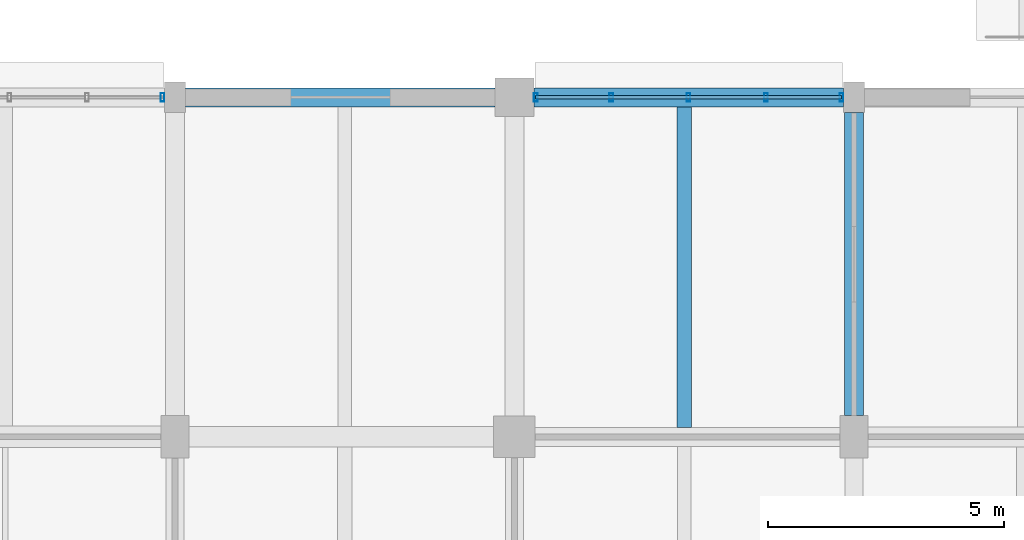
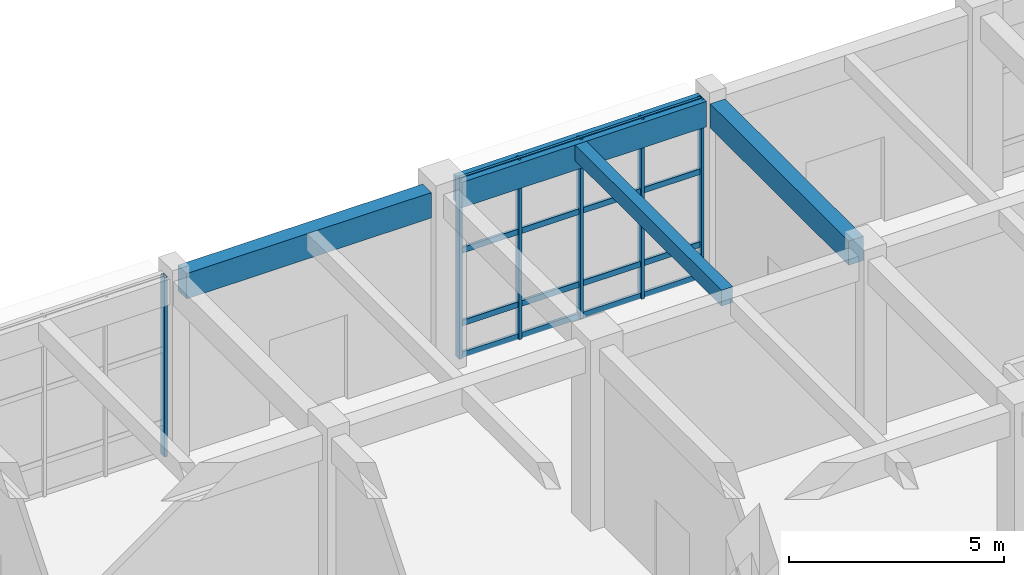
# One storey, part 65 of 160: 10 members, 4 beams, 2 elements without a shape of their own.
"""IFC4 building model written with IfcOpenShell, lengths in metres."""

from ifc_helpers import new_model, si_unit, direction, frame, origin, origin_2d, place, context, subcontext, project, spatial, rectangle, hollow_rectangle, extrude, material, material_profile, profile_set, type_object, element, aggregate, save


model = new_model("IFC4")

# Units and contexts
model_context = context("Model", 3, precision=1e-05, world=origin(), true_north=direction((0.0, 1.0)))
body_context = subcontext(model_context, "Body", "Model", "MODEL_VIEW")
ifc_project = project(units=[si_unit("LENGTHUNIT", "METRE"), si_unit("AREAUNIT", "SQUARE_METRE"), si_unit("VOLUMEUNIT", "CUBIC_METRE"), si_unit("PLANEANGLEUNIT", "RADIAN"), si_unit("MASSUNIT", "GRAM", prefix="KILO")], contexts=[model_context])

# Site, building, storey
site_placement = place(None, origin())
site = spatial("IfcSite", under=ifc_project, at=site_placement, CompositionType="ELEMENT")
building_placement = place(site_placement, origin())
building = spatial("IfcBuilding", under=site, at=building_placement, Name="Thalmaran Polytechnic", CompositionType="ELEMENT")
storey_placement = place(building_placement, origin())
storey = spatial("IfcBuildingStorey", under=building, at=storey_placement, Name="L00", CompositionType="ELEMENT", Elevation=0.0)

# Beams
ifc_material_1 = material(Name="Concrete C40/50", Category="concrete")
ifc_material_profile_1 = material_profile(ifc_material_1, rectangle(XDim=0.300048828125, YDim=0.449951171875, at=origin_2d()), Name="RC 300x450")
ifc_profile_set_1 = profile_set([ifc_material_profile_1], Name="Concrete C40/50")
beam_type_1 = type_object("IfcBeamType", Name="BM-RC12", PredefinedType="JOIST", material=ifc_profile_set_1)
beam_1_placement = place(storey_placement, frame((39.60009765625, 115.39990234375, 4.864990234375), z_axis=(0.0, 1.0, 0.0), x_axis=(-1.0, 0.0, 0.0)))
element("IfcBeam", 1, at=beam_1_placement, inside=storey, type_object=beam_type_1, Name="Secondary Floor Rib RB02 L00 (5,16)", PredefinedType="JOIST", context=body_context, shape_type="SweptSolid", body=[
    extrude(rectangle(XDim=0.300048828125, YDim=0.449951171875, at=origin_2d()), origin(), (0.0, 0.0, 1.0), 6.800048828125),
])
ifc_material_profile_2 = material_profile(ifc_material_1, rectangle(XDim=0.39990234375, YDim=0.719970703125, at=origin_2d()), Name="RC 400x720")
ifc_profile_set_2 = profile_set([ifc_material_profile_2], Name="Concrete C40/50")
beam_type_2 = type_object("IfcBeamType", Name="BM-SP01", PredefinedType="SPANDREL", material=ifc_profile_set_2)
for number, where, z_axis, x_axis, name in (
    (2, (29.02490234375, 122.39990234375, 4.72998046875), (1.0, 0.0, 0.0), (0.0, 1.0, 0.0), "Grid Beam SP01 L00 X(4,17)"),
    (3, (36.409912109375, 122.39990234375, 4.72998046875), (1.0, 0.0, 0.0), (0.0, 1.0, 0.0), "Grid Beam SP01 L00 X(5,17)"),
):
    element("IfcBeam", number, at=place(storey_placement, frame(where, z_axis=z_axis, x_axis=x_axis)), inside=storey, type_object=beam_type_2, Name=name, PredefinedType="SPANDREL", context=body_context, shape_type="SweptSolid", body=[
        extrude(rectangle(XDim=0.39990234375, YDim=0.719970703125, at=origin_2d()), origin(), (0.0, 0.0, 1.0), 6.565185546875),
    ])
ifc_material_profile_3 = material_profile(ifc_material_1, rectangle(XDim=0.39990234375, YDim=0.68505859375, at=origin_2d()), Name="RC 400x685")
ifc_profile_set_3 = profile_set([ifc_material_profile_3], Name="Concrete C40/50")
beam_type_3 = type_object("IfcBeamType", Name="BM-ZB07", PredefinedType="BEAM", material=ifc_profile_set_3)
beam_2_placement = place(storey_placement, frame((43.199951171875, 115.64990234375, 4.74755859375), z_axis=(0.0, 1.0, 0.0), x_axis=(-1.0, 0.0, 0.0)))
element("IfcBeam", 4, at=beam_2_placement, inside=storey, type_object=beam_type_3, Name="Grid Beam ZB07 L00 Y(6,16)", PredefinedType="BEAM", context=body_context, shape_type="SweptSolid", body=[
    extrude(rectangle(XDim=0.39990234375, YDim=0.68505859375, at=origin_2d()), origin(), (0.0, 0.0, 1.0), 6.425048828125),
])

# Curtain wall, member
ifc_material_2 = material(Name="Aluminium 6063-T6", Category="aluminium")
curtain_wall_type = type_object("IfcCurtainWallType", Name="CW-UC01", PredefinedType="USERDEFINED", material=ifc_material_2)
curtain_wall_1_placement = place(storey_placement, origin())
curtain_wall_1 = element("IfcCurtainWall", 5, at=curtain_wall_1_placement, inside=storey, type_object=curtain_wall_type, Name="Curtain Wall CW-L00-003", ObjectType="UNITISED CURTAIN WALL", PredefinedType="USERDEFINED")
ifc_material_profile_4 = material_profile(ifc_material_2, hollow_rectangle(XDim=0.080078125, YDim=0.179931640625, WallThickness=0.0048828125, at=origin_2d()), Name="RHS 180x80x5.0")
ifc_profile_set_4 = profile_set([ifc_material_profile_4], Name="Aluminium 6063-T6")
member_type_1 = type_object("IfcMemberType", Name="CW-MUL1", PredefinedType="MULLION", material=ifc_profile_set_4)
member_1_placement = place(storey_placement, frame((28.534912109375, 122.39990234375, 0.0), z_axis=(0.0, 0.0, 1.0), x_axis=(1.0, 0.0, 0.0)))
member_1 = element("IfcMember", 6, at=member_1_placement, type_object=member_type_1, Name="CW-L00-003 Mullion 5", PredefinedType="MULLION", context=body_context, shape_type="SweptSolid", body=[
    extrude(hollow_rectangle(XDim=0.080078125, YDim=0.179931640625, WallThickness=0.0048828125, at=origin_2d()), origin(), (0.0, 0.0, 1.0), 5.090087890625),
])
aggregate(curtain_wall_1, [member_1])

# Curtain wall, members
curtain_wall_2_placement = place(storey_placement, origin())
curtain_wall_2 = element("IfcCurtainWall", 7, at=curtain_wall_2_placement, inside=storey, type_object=curtain_wall_type, Name="Curtain Wall CW-L00-004", ObjectType="UNITISED CURTAIN WALL", PredefinedType="USERDEFINED")
member_2_placement = place(storey_placement, frame((36.449951171875, 122.39990234375, 0.0), z_axis=(0.0, 0.0, 1.0), x_axis=(1.0, 0.0, 0.0)))
member_2 = element("IfcMember", 8, at=member_2_placement, type_object=member_type_1, Name="CW-L00-004 Mullion 1", PredefinedType="MULLION", context=body_context, shape_type="SweptSolid", body=[
    extrude(hollow_rectangle(XDim=0.080078125, YDim=0.179931640625, WallThickness=0.0048828125, at=origin_2d()), origin(), (0.0, 0.0, 1.0), 5.090087890625),
])
member_3_placement = place(storey_placement, frame((38.05126953125, 122.39990234375, 0.0), z_axis=(0.0, 0.0, 1.0), x_axis=(1.0, 0.0, 0.0)))
member_3 = element("IfcMember", 9, at=member_3_placement, type_object=member_type_1, Name="CW-L00-004 Mullion 2", PredefinedType="MULLION", context=body_context, shape_type="SweptSolid", body=[
    extrude(hollow_rectangle(XDim=0.080078125, YDim=0.179931640625, WallThickness=0.0048828125, at=origin_2d()), origin(), (0.0, 0.0, 1.0), 5.090087890625),
])
member_4_placement = place(storey_placement, frame((39.6923828125, 122.39990234375, 0.0), z_axis=(0.0, 0.0, 1.0), x_axis=(1.0, 0.0, 0.0)))
member_4 = element("IfcMember", 10, at=member_4_placement, type_object=member_type_1, Name="CW-L00-004 Mullion 3", PredefinedType="MULLION", context=body_context, shape_type="SweptSolid", body=[
    extrude(hollow_rectangle(XDim=0.080078125, YDim=0.179931640625, WallThickness=0.0048828125, at=origin_2d()), origin(), (0.0, 0.0, 1.0), 5.090087890625),
])
member_5_placement = place(storey_placement, frame((41.333740234375, 122.39990234375, 0.0), z_axis=(0.0, 0.0, 1.0), x_axis=(1.0, 0.0, 0.0)))
member_5 = element("IfcMember", 11, at=member_5_placement, type_object=member_type_1, Name="CW-L00-004 Mullion 4", PredefinedType="MULLION", context=body_context, shape_type="SweptSolid", body=[
    extrude(hollow_rectangle(XDim=0.080078125, YDim=0.179931640625, WallThickness=0.0048828125, at=origin_2d()), origin(), (0.0, 0.0, 1.0), 5.090087890625),
])
member_6_placement = place(storey_placement, frame((42.93505859375, 122.39990234375, 0.0), z_axis=(0.0, 0.0, 1.0), x_axis=(1.0, 0.0, 0.0)))
member_6 = element("IfcMember", 12, at=member_6_placement, type_object=member_type_1, Name="CW-L00-004 Mullion 5", PredefinedType="MULLION", context=body_context, shape_type="SweptSolid", body=[
    extrude(hollow_rectangle(XDim=0.080078125, YDim=0.179931640625, WallThickness=0.0048828125, at=origin_2d()), origin(), (0.0, 0.0, 1.0), 5.090087890625),
])
ifc_material_profile_5 = material_profile(ifc_material_2, hollow_rectangle(XDim=0.070068359375, YDim=0.159912109375, WallThickness=0.00390625, at=origin_2d()), Name="AL 160x70x4.0")
ifc_profile_set_5 = profile_set([ifc_material_profile_5], Name="Aluminium 6063-T6")
member_type_2 = type_object("IfcMemberType", Name="CW-TRN1", PredefinedType="USERDEFINED", material=ifc_profile_set_5)
member_7_placement = place(storey_placement, frame((36.449951171875, 122.39990234375, 0.06005859375), z_axis=(1.0, 0.0, 0.0), x_axis=(0.0, 1.0, 0.0)))
member_7 = element("IfcMember", 13, at=member_7_placement, type_object=member_type_2, Name="CW-L00-004 Transom 1", ObjectType="TRANSOM", PredefinedType="USERDEFINED", context=body_context, shape_type="SweptSolid", body=[
    extrude(hollow_rectangle(XDim=0.070068359375, YDim=0.159912109375, WallThickness=0.00390625, at=origin_2d()), origin(), (0.0, 0.0, 1.0), 6.485107421875),
])
member_8_placement = place(storey_placement, frame((36.449951171875, 122.39990234375, 0.9599609375), z_axis=(1.0, 0.0, 0.0), x_axis=(0.0, 1.0, 0.0)))
member_8 = element("IfcMember", 14, at=member_8_placement, type_object=member_type_2, Name="CW-L00-004 Transom 2", ObjectType="TRANSOM", PredefinedType="USERDEFINED", context=body_context, shape_type="SweptSolid", body=[
    extrude(hollow_rectangle(XDim=0.070068359375, YDim=0.159912109375, WallThickness=0.00390625, at=origin_2d()), origin(), (0.0, 0.0, 1.0), 6.485107421875),
])
member_9_placement = place(storey_placement, frame((36.449951171875, 122.39990234375, 3.02490234375), z_axis=(1.0, 0.0, 0.0), x_axis=(0.0, 1.0, 0.0)))
member_9 = element("IfcMember", 15, at=member_9_placement, type_object=member_type_2, Name="CW-L00-004 Transom 3", ObjectType="TRANSOM", PredefinedType="USERDEFINED", context=body_context, shape_type="SweptSolid", body=[
    extrude(hollow_rectangle(XDim=0.070068359375, YDim=0.159912109375, WallThickness=0.00390625, at=origin_2d()), origin(), (0.0, 0.0, 1.0), 6.485107421875),
])
member_10_placement = place(storey_placement, frame((36.449951171875, 122.39990234375, 5.030029296875), z_axis=(1.0, 0.0, 0.0), x_axis=(0.0, 1.0, 0.0)))
member_10 = element("IfcMember", 16, at=member_10_placement, type_object=member_type_2, Name="CW-L00-004 Transom 4", ObjectType="TRANSOM", PredefinedType="USERDEFINED", context=body_context, shape_type="SweptSolid", body=[
    extrude(hollow_rectangle(XDim=0.070068359375, YDim=0.159912109375, WallThickness=0.00390625, at=origin_2d()), origin(), (0.0, 0.0, 1.0), 6.485107421875),
])
aggregate(curtain_wall_2, [member_2, member_3, member_4, member_5, member_6, member_7, member_8, member_9, member_10])

save(model, "model.ifc")
